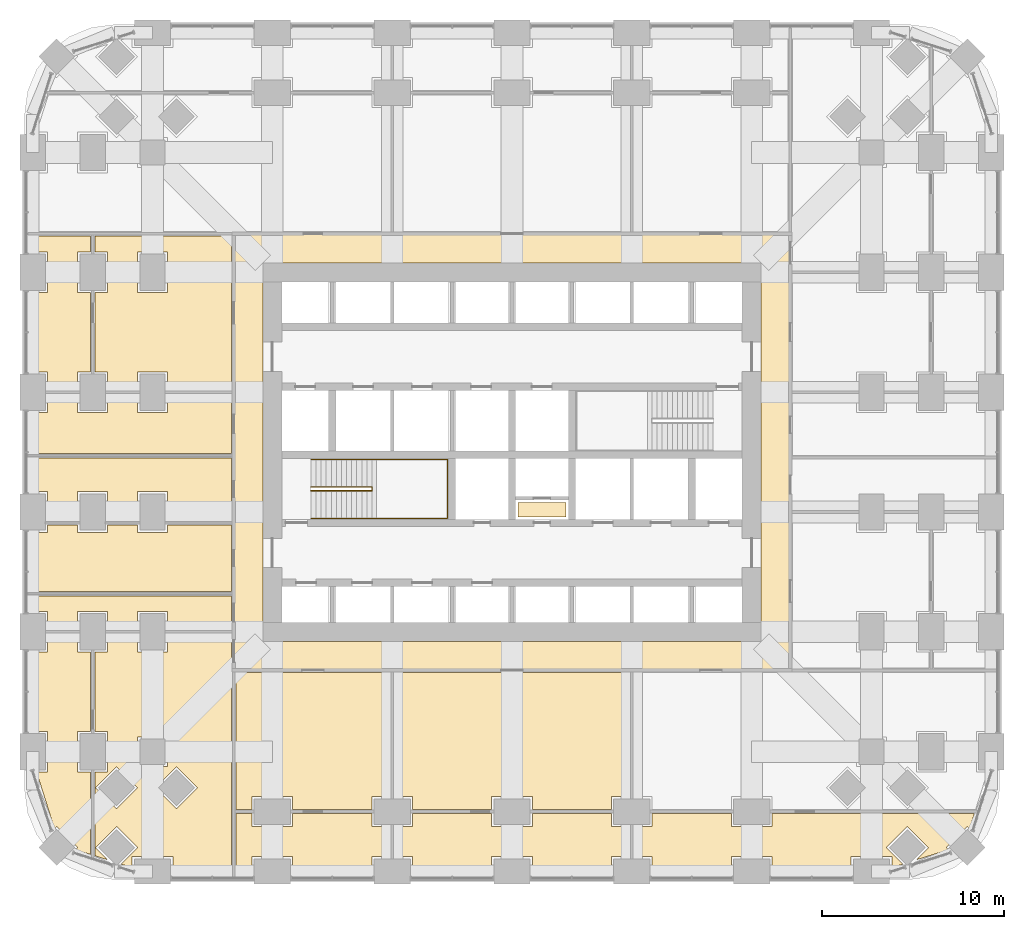
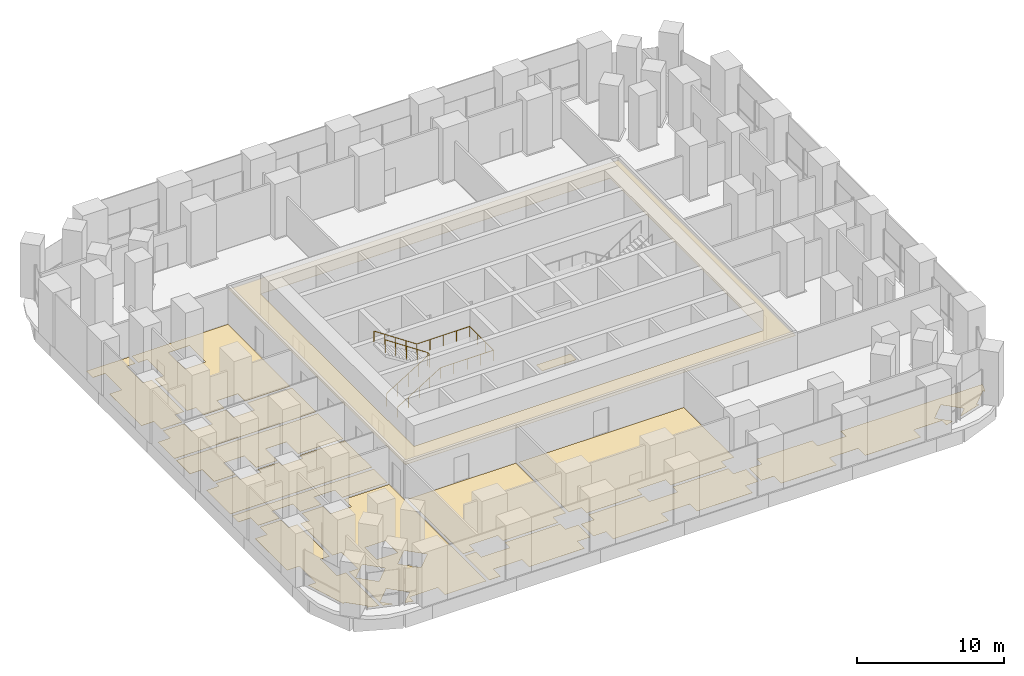
# One storey, part 15 of 17: 15 coverings, 2 railings.
"""IFC4 building model written with IfcOpenShell, lengths in metres."""

import ifcopenshell
import ifcopenshell.guid

model = None  # the IFC model being written
_history = None  # IfcOwnerHistory: only IFC2X3 demands one
_inside = {}  # id of a spatial element -> (the spatial element, [elements in it])
_under = {}  # id of a project, library or spatial element -> (it, [spatial elements below it])
_declared = {}  # id of a project -> (the project, [libraries it declares])
_typed = {}  # id of a type object -> (the type object, [elements of that type])
_made_of = {}  # id of a material, layer set ... -> (it, [elements and type objects made of it])


def new_model(schema):
    """Start an empty IFC model of exactly this schema.

    Asked for "IFC4X3", IfcOpenShell would pick the latest addendum, in which some entities
    have other attributes; the version numbers below select the first issue.
    IFC2X3 requires an IfcOwnerHistory on every rooted entity: one is made here for all.
    """
    global model, _history
    if schema == "IFC4X3":
        model = ifcopenshell.file(schema_version=(4, 3, 0, 0))
    else:
        model = ifcopenshell.file(schema=schema)
    _inside.clear()
    _under.clear()
    _declared.clear()
    _typed.clear()
    _made_of.clear()
    _history = None
    if model.schema == "IFC2X3":
        org = make("IfcOrganization", Name="unknown")
        user = make(
            "IfcPersonAndOrganization",
            ThePerson=make("IfcPerson", FamilyName="unknown"),
            TheOrganization=org,
        )
        app = make(
            "IfcApplication",
            ApplicationDeveloper=org,
            Version="unknown",
            ApplicationFullName="unknown",
            ApplicationIdentifier="unknown",
        )
        _history = make(
            "IfcOwnerHistory",
            OwningUser=user,
            OwningApplication=app,
            ChangeAction="ADDED",
            CreationDate=0,
        )
    return model


def make(cls, **values):
    """One entity of the class cls with the attributes given. An attribute that is None is left unset."""
    return model.create_entity(
        cls, **{name: value for name, value in values.items() if value is not None}
    )


def rooted(cls, **values):
    """An entity with a GlobalId (a new one), such as an element, a storey or a relation."""
    return make(cls, GlobalId=ifcopenshell.guid.new(), OwnerHistory=_history, **values)


def si_unit(unit_type, name, prefix=None):
    """IfcSIUnit, for example si_unit("LENGTHUNIT", "METRE", prefix="MILLI")."""
    return make("IfcSIUnit", UnitType=unit_type, Prefix=prefix, Name=name)


def assignment(units):
    """IfcUnitAssignment: the units of a project."""
    return None if units is None else make("IfcUnitAssignment", Units=units)


def point(xyz):
    """IfcCartesianPoint."""
    return None if xyz is None else make("IfcCartesianPoint", Coordinates=xyz)


def direction(xyz):
    """IfcDirection."""
    return None if xyz is None else make("IfcDirection", DirectionRatios=xyz)


def frame(location, z_axis=None, x_axis=None):
    """IfcAxis2Placement3D, a coordinate frame: its origin and axes. An axis left out is left unset."""
    return make(
        "IfcAxis2Placement3D",
        Location=point(location),
        Axis=direction(z_axis),
        RefDirection=direction(x_axis),
    )


def origin():
    """The frame at (0, 0, 0) with its axes left unset."""
    return frame((0.0, 0.0, 0.0))


def place(relative_to, where):
    """IfcLocalPlacement: puts the frame where relative to a parent placement (None: the world)."""
    return make(
        "IfcLocalPlacement", PlacementRelTo=relative_to, RelativePlacement=where
    )


def context(
    kind, dimensions, precision=None, world=None, true_north=None, identifier=None
):
    """IfcGeometricRepresentationContext, for example the 3D "Model" context."""
    return make(
        "IfcGeometricRepresentationContext",
        ContextIdentifier=identifier,
        ContextType=kind,
        CoordinateSpaceDimension=dimensions,
        Precision=precision,
        WorldCoordinateSystem=world,
        TrueNorth=true_north,
    )


def subcontext(parent, identifier, kind, view, scale=None):
    """IfcGeometricRepresentationSubContext, for example "Body" below "Model"."""
    return make(
        "IfcGeometricRepresentationSubContext",
        ContextIdentifier=identifier,
        ContextType=kind,
        ParentContext=parent,
        TargetScale=scale,
        TargetView=view,
    )


def project(units=None, contexts=None):
    """IfcProject with its units and contexts."""
    return rooted(
        "IfcProject",
        Name="project",
        RepresentationContexts=contexts,
        UnitsInContext=assignment(units),
    )


def spatial(cls, under=None, at=None, **own):
    """A site, building, storey or space (cls), placed at a placement, below another one or the project."""
    s = rooted(cls, ObjectPlacement=at, **own)
    if under is not None:
        _under.setdefault(under.id(), (under, []))[1].append(s)
    return s


def polyline(points):
    """IfcPolyline through the points."""
    return make("IfcPolyline", Points=[point(p) for p in points])


def outline(outer, holes=None, kind="AREA"):
    """IfcArbitraryClosedProfileDef: a profile drawn as a closed curve; with holes, ...WithVoids."""
    if holes is None:
        return make("IfcArbitraryClosedProfileDef", ProfileType=kind, OuterCurve=outer)
    return make(
        "IfcArbitraryProfileDefWithVoids",
        ProfileType=kind,
        OuterCurve=outer,
        InnerCurves=holes,
    )


def extrude(swept, where, along, depth):
    """IfcExtrudedAreaSolid: the profile swept, set in the frame where, extruded along a direction by depth."""
    return make(
        "IfcExtrudedAreaSolid",
        SweptArea=swept,
        Position=where,
        ExtrudedDirection=direction(along),
        Depth=depth,
    )


def shape(context_of_items, identifier, shape_type, items):
    """IfcShapeRepresentation: the items that make up one representation, for example the "Body"."""
    return make(
        "IfcShapeRepresentation",
        ContextOfItems=context_of_items,
        RepresentationIdentifier=identifier,
        RepresentationType=shape_type,
        Items=items,
    )


def material(Name=None, Category=None):
    """IfcMaterial."""
    return make("IfcMaterial", Name=Name, Category=Category)


def layer(
    of_material, thickness, ventilated=None, Name=None, Category=None, Priority=None
):
    """IfcMaterialLayer: one layer of a wall or slab, of a material (None: an air gap)."""
    return make(
        "IfcMaterialLayer",
        Material=of_material,
        LayerThickness=thickness,
        IsVentilated=ventilated,
        Name=Name,
        Category=Category,
        Priority=Priority,
    )


def layer_set(layers, Name=None):
    """IfcMaterialLayerSet."""
    return make("IfcMaterialLayerSet", MaterialLayers=layers, LayerSetName=Name)


def made_of(thing, what):
    """Note that an element or type object is made of a material, layer set ...; save() writes the relation."""
    if what is not None:
        _made_of.setdefault(what.id(), (what, []))[1].append(thing)
    return thing


def type_object(cls, material=None, **own):
    """A type object (cls), such as IfcWallType, which elements share."""
    return made_of(rooted(cls, **own), material)


def element(
    cls,
    number,
    at=None,
    inside=None,
    cuts=None,
    type_object=None,
    material=None,
    context=None,
    identifier="Body",
    shape_type=None,
    held_by="IfcProductDefinitionShape",
    body=None,
    shapes=None,
    **own,
):
    """One element of the class cls, such as IfcWall. Its Tag is "e" and its number.

    at: its placement. inside: the storey or other place that contains it. cuts: it is an
    opening in that element (IfcRelVoidsElement). A single representation is given by context,
    identifier, shape_type and body (its items); several are given by shapes. held_by: the class
    of the entity that holds the representations. save() writes the other relations.
    """
    e = rooted(cls, Tag="e%d" % number, ObjectPlacement=at, **own)
    if body is not None:
        shapes = [shape(context, identifier, shape_type, body)]
    if shapes is not None:
        e.Representation = make(held_by, Representations=shapes)
    if inside is not None:
        _inside.setdefault(inside.id(), (inside, []))[1].append(e)
    if cuts is not None:
        rooted(
            "IfcRelVoidsElement", RelatingBuildingElement=cuts, RelatedOpeningElement=e
        )
    if type_object is not None:
        _typed.setdefault(type_object.id(), (type_object, []))[1].append(e)
    return made_of(e, material)


def aggregate(whole, parts):
    """IfcRelAggregates: a whole, such as a stair, and the parts it consists of."""
    return rooted("IfcRelAggregates", RelatingObject=whole, RelatedObjects=parts)


def save(model, path):
    """Write the relations noted so far, then the file.

    IfcRelAggregates (storeys below a building ...), IfcRelContainedInSpatialStructure (elements
    in a storey), IfcRelDefinesByType, IfcRelAssociatesMaterial and IfcRelDeclares: one each for
    every whole, place, type object, material and project.
    """
    for whole, parts in _under.values():
        aggregate(whole, parts)
    for where, things in _inside.values():
        rooted(
            "IfcRelContainedInSpatialStructure",
            RelatedElements=things,
            RelatingStructure=where,
        )
    for kind, things in _typed.values():
        rooted("IfcRelDefinesByType", RelatedObjects=things, RelatingType=kind)
    for what, things in _made_of.values():
        rooted("IfcRelAssociatesMaterial", RelatedObjects=things, RelatingMaterial=what)
    for by, libraries in _declared.values():
        rooted("IfcRelDeclares", RelatingContext=by, RelatedDefinitions=libraries)
    model.write(path)


model = new_model("IFC4")

# Units and contexts
model_context = context("Model", 3, precision=1e-05, world=origin(), true_north=direction((0.0, 1.0)))
body_context = subcontext(model_context, "Body", "Model", "MODEL_VIEW")
ifc_project = project(units=[si_unit("LENGTHUNIT", "METRE"), si_unit("AREAUNIT", "SQUARE_METRE"), si_unit("VOLUMEUNIT", "CUBIC_METRE"), si_unit("PLANEANGLEUNIT", "RADIAN"), si_unit("MASSUNIT", "GRAM", prefix="KILO")], contexts=[model_context])

# Site, building, storey
site_placement = place(None, origin())
site = spatial("IfcSite", under=ifc_project, at=site_placement, CompositionType="ELEMENT")
building_placement = place(site_placement, origin())
building = spatial("IfcBuilding", under=site, at=building_placement, Name="Cobogo Forest Laboratory Tower", CompositionType="ELEMENT")
storey_placement = place(building_placement, frame((0.0, 0.0, 12.60009765625)))
storey = spatial("IfcBuildingStorey", under=building, at=storey_placement, Name="L02", CompositionType="ELEMENT", Elevation=12.60009765625)

# Coverings
ifc_material_1 = material(Name="Mineral fibre ceiling tile", Category="ceiling")
ifc_layer_1 = layer(ifc_material_1, 0.02001953125)
ifc_layer_set_1 = layer_set([ifc_layer_1], Name="CL1 suspended ceiling")
covering_type_1 = type_object("IfcCoveringType", Name="CL1 suspended ceiling", PredefinedType="CEILING", material=ifc_layer_set_1)
covering_1_placement = place(storey_placement, frame((0.0, 0.0, 2.7998046875)))
element("IfcCovering", 1, at=covering_1_placement, inside=storey, type_object=covering_type_1, Name="Corridor ceiling L02", PredefinedType="CEILING", context=body_context, shape_type="SweptSolid", body=[
    extrude(outline(polyline([(11.074951171875, 11.074951171875), (11.074951171875, 35.125), (41.72509765625, 35.125), (41.72509765625, 11.074951171875), (11.074951171875, 11.074951171875)]), holes=[polyline([(40.125, 33.52490234375), (12.675048828125, 33.52490234375), (12.675048828125, 12.675048828125), (40.125, 12.675048828125), (40.125, 33.52490234375)])]), origin(), (0.0, 0.0, 1.0), 0.02001953125),
])
ifc_material_2 = material(Name="Carpet tile on raised access floor", Category="flooring")
ifc_layer_2 = layer(ifc_material_2, 0.008056640625)
ifc_layer_set_2 = layer_set([ifc_layer_2], Name="CT1 carpet tile floor 8")
covering_type_2 = type_object("IfcCoveringType", Name="CT1 carpet tile floor 8", PredefinedType="FLOORING", material=ifc_layer_set_2)
covering_2_placement = place(storey_placement, origin())
element("IfcCovering", 2, at=covering_2_placement, inside=storey, type_object=covering_type_2, Name="Carpet floor L02-02", PredefinedType="FLOORING", context=body_context, shape_type="SweptSolid", body=[
    extrude(outline(polyline([(12.080078125, 3.179931640625), (12.080078125, 2.47998046875), (14.320068359375, 2.47998046875), (14.320068359375, 3.179931640625), (18.679931640625, 3.179931640625), (18.679931640625, 2.47998046875), (19.679931640625, 2.47998046875), (19.679931640625, 0.820068359375), (18.679931640625, 0.820068359375), (18.679931640625, -0.14990234375), (14.320068359375, -0.14990234375), (14.320068359375, 0.820068359375), (12.080078125, 0.820068359375), (12.080078125, -0.14990234375), (11.195068359375, -0.14990234375), (11.195068359375, 3.179931640625), (12.080078125, 3.179931640625)])), origin(), (0.0, 0.0, 1.0), 0.0078125),
])
covering_3_placement = place(storey_placement, origin())
element("IfcCovering", 3, at=covering_3_placement, inside=storey, type_object=covering_type_2, Name="Carpet floor L02-03", PredefinedType="FLOORING", context=body_context, shape_type="SweptSolid", body=[
    extrude(outline(polyline([(19.919921875, 10.955078125), (32.8798828125, 10.955078125), (32.8798828125, 4.1201171875), (31.8798828125, 4.1201171875), (31.8798828125, 3.419921875), (27.52001953125, 3.419921875), (27.52001953125, 4.1201171875), (25.280029296875, 4.1201171875), (25.280029296875, 3.419921875), (20.919921875, 3.419921875), (20.919921875, 4.1201171875), (19.919921875, 4.1201171875), (19.919921875, 10.955078125)])), origin(), (0.0, 0.0, 1.0), 0.0078125),
])
covering_4_placement = place(storey_placement, origin())
element("IfcCovering", 4, at=covering_4_placement, inside=storey, type_object=covering_type_2, Name="Carpet floor L02-04", PredefinedType="FLOORING", context=body_context, shape_type="SweptSolid", body=[
    extrude(outline(polyline([(25.280029296875, 3.179931640625), (25.280029296875, 2.47998046875), (27.52001953125, 2.47998046875), (27.52001953125, 3.179931640625), (31.8798828125, 3.179931640625), (31.8798828125, 2.47998046875), (32.8798828125, 2.47998046875), (32.8798828125, 0.820068359375), (31.8798828125, 0.820068359375), (31.8798828125, -0.14990234375), (27.52001953125, -0.14990234375), (27.52001953125, 0.820068359375), (25.280029296875, 0.820068359375), (25.280029296875, -0.14990234375), (20.919921875, -0.14990234375), (20.919921875, 0.820068359375), (19.919921875, 0.820068359375), (19.919921875, 2.47998046875), (20.919921875, 2.47998046875), (20.919921875, 3.179931640625), (25.280029296875, 3.179931640625)])), origin(), (0.0, 0.0, 1.0), 0.0078125),
])
covering_5_placement = place(storey_placement, origin())
element("IfcCovering", 5, at=covering_5_placement, inside=storey, type_object=covering_type_2, Name="Carpet floor L02-06", PredefinedType="FLOORING", context=body_context, shape_type="SweptSolid", body=[
    extrude(outline(polyline([(38.47998046875, 3.179931640625), (38.47998046875, 2.47998046875), (40.719970703125, 2.47998046875), (40.719970703125, 3.179931640625), (51.8603515625, 3.179931640625), (51.600830078125, 2.358642578125), (51.48193359375, 2.477783203125), (50.322265625, 1.318115234375), (50.441162109375, 1.19921875), (48.660400390625, 0.63671875), (49.341552734375, 1.318115234375), (48.181884765625, 2.477783203125), (47.022216796875, 1.318115234375), (47.933349609375, 0.406982421875), (47.320068359375, 0.21337890625), (47.320068359375, 0.820068359375), (45.080078125, 0.820068359375), (45.080078125, -0.14990234375), (40.719970703125, -0.14990234375), (40.719970703125, 0.820068359375), (38.47998046875, 0.820068359375), (38.47998046875, -0.14990234375), (34.1201171875, -0.14990234375), (34.1201171875, 0.820068359375), (33.1201171875, 0.820068359375), (33.1201171875, 2.47998046875), (34.1201171875, 2.47998046875), (34.1201171875, 3.179931640625), (38.47998046875, 3.179931640625)])), origin(), (0.0, 0.0, 1.0), 0.0078125),
])
covering_6_placement = place(storey_placement, origin())
element("IfcCovering", 6, at=covering_6_placement, inside=storey, type_object=covering_type_2, Name="Carpet floor L02-22", PredefinedType="FLOORING", context=body_context, shape_type="SweptSolid", body=[
    extrude(outline(polyline([(3.179931640625, 7.719970703125), (2.47998046875, 7.719970703125), (2.47998046875, 5.47998046875), (3.179931640625, 5.47998046875), (3.179931640625, 0.939697265625), (2.358642578125, 1.19921875), (2.477783203125, 1.318115234375), (1.318115234375, 2.477783203125), (1.19921875, 2.358642578125), (0.21337890625, 5.47998046875), (0.820068359375, 5.47998046875), (0.820068359375, 7.719970703125), (-0.14990234375, 7.719970703125), (-0.14990234375, 12.080078125), (0.820068359375, 12.080078125), (0.820068359375, 13.080078125), (2.47998046875, 13.080078125), (2.47998046875, 12.080078125), (3.179931640625, 12.080078125), (3.179931640625, 7.719970703125)])), origin(), (0.0, 0.0, 1.0), 0.0078125),
])
covering_7_placement = place(storey_placement, origin())
element("IfcCovering", 7, at=covering_7_placement, inside=storey, type_object=covering_type_2, Name="Carpet floor L02-27", PredefinedType="FLOORING", context=body_context, shape_type="SweptSolid", body=[
    extrude(outline(polyline([(3.419921875, 31.8798828125), (4.1201171875, 31.8798828125), (4.1201171875, 34.1201171875), (3.419921875, 34.1201171875), (3.419921875, 35.0048828125), (10.955078125, 35.0048828125), (10.955078125, 26.52001953125), (7.419921875, 26.52001953125), (7.419921875, 27.52001953125), (5.780029296875, 27.52001953125), (5.780029296875, 26.52001953125), (4.1201171875, 26.52001953125), (4.1201171875, 27.52001953125), (3.419921875, 27.52001953125), (3.419921875, 31.8798828125)]), holes=[polyline([(5.780029296875, 31.8798828125), (7.419921875, 31.8798828125), (7.419921875, 34.1201171875), (5.780029296875, 34.1201171875), (5.780029296875, 31.8798828125)])]), origin(), (0.0, 0.0, 1.0), 0.0078125),
])
covering_8_placement = place(storey_placement, origin())
element("IfcCovering", 8, at=covering_8_placement, inside=storey, type_object=covering_type_2, Name="Carpet floor L02-28", PredefinedType="FLOORING", context=body_context, shape_type="SweptSolid", body=[
    extrude(outline(polyline([(3.179931640625, 34.1201171875), (2.47998046875, 34.1201171875), (2.47998046875, 31.8798828125), (3.179931640625, 31.8798828125), (3.179931640625, 27.52001953125), (2.47998046875, 27.52001953125), (2.47998046875, 26.52001953125), (0.820068359375, 26.52001953125), (0.820068359375, 27.52001953125), (-0.14990234375, 27.52001953125), (-0.14990234375, 31.8798828125), (0.820068359375, 31.8798828125), (0.820068359375, 34.1201171875), (-0.14990234375, 34.1201171875), (-0.14990234375, 35.0048828125), (3.179931640625, 35.0048828125), (3.179931640625, 34.1201171875)])), origin(), (0.0, 0.0, 1.0), 0.0078125),
])
covering_9_placement = place(storey_placement, origin())
element("IfcCovering", 9, at=covering_9_placement, inside=storey, type_object=covering_type_2, Name="Carpet floor L02-35", PredefinedType="FLOORING", context=body_context, shape_type="SweptSolid", body=[
    extrude(outline(polyline([(29.3798828125, 19.52001953125), (26.719970703125, 19.52001953125), (26.719970703125, 20.330078125), (29.3798828125, 20.330078125), (29.3798828125, 19.52001953125)])), origin(), (0.0, 0.0, 1.0), 0.0078125),
])

# Railings
ifc_material_3 = material(Name="Steel balustrade", Category="steel")
railing_type_1 = type_object("IfcRailingType", Name="GR stair guard 1100", PredefinedType="GUARDRAIL", material=ifc_material_3)
railing_1_placement = place(storey_placement, frame((15.324951171875, 20.969970703125, 0.173095703125)))
element("IfcRailing", 10, at=railing_1_placement, inside=storey, type_object=railing_type_1, Name="Stair guard ST1 L02", PredefinedType="GUARDRAIL", context=body_context, shape_type="SweptSolid", body=[
    extrude(outline(polyline([(0.022216796875, 0.00927734375), (0.00927734375, 0.022216796875), (-0.00927734375, 0.022216796875), (-0.022216796875, 0.00927734375), (-0.022216796875, -0.00927734375), (-0.00927734375, -0.022216796875), (0.00927734375, -0.022216796875), (0.022216796875, -0.00927734375), (0.022216796875, 0.00927734375)])), frame((0.0, 0.0, 1.077880859375), z_axis=(0.850623216509, 0.0, 0.525775754039), x_axis=(0.0, 1.0, 0.0)), (0.0, 0.0, 1.0), 3.9501953125),
    extrude(outline(polyline([(0.022216796875, 0.00927734375), (0.00927734375, 0.022216796875), (-0.00927734375, 0.022216796875), (-0.022216796875, 0.00927734375), (-0.022216796875, -0.00927734375), (-0.00927734375, -0.022216796875), (0.00927734375, -0.022216796875), (0.022216796875, -0.00927734375), (0.022216796875, 0.00927734375)])), frame((3.360107421875, 0.0, 3.15478515625), z_axis=(0.0, 1.0, 0.0), x_axis=(-1.0, 0.0, 0.0)), (0.0, 0.0, 1.0), 0.2099609375),
    extrude(outline(polyline([(0.022216796875, 0.00927734375), (0.00927734375, 0.022216796875), (-0.00927734375, 0.022216796875), (-0.022216796875, 0.00927734375), (-0.022216796875, -0.00927734375), (-0.00927734375, -0.022216796875), (0.00927734375, -0.022216796875), (0.022216796875, -0.00927734375), (0.022216796875, 0.00927734375)])), frame((3.360107421875, 0.2099609375, 3.15478515625), z_axis=(-0.830915400975, 0.0, 0.556398774641), x_axis=(0.0, -1.0, 0.0)), (0.0, 0.0, 1.0), 4.0439453125),
    extrude(outline(polyline([(0.019287109375, 0.008056640625), (0.008056640625, 0.019287109375), (-0.008056640625, 0.019287109375), (-0.019287109375, 0.008056640625), (-0.019287109375, -0.008056640625), (-0.008056640625, -0.019287109375), (0.008056640625, -0.019287109375), (0.019287109375, -0.008056640625), (0.019287109375, 0.008056640625)])), origin(), (0.0, 0.0, 1.0), 1.077880859375),
    extrude(outline(polyline([(0.019287109375, 0.008056640625), (0.008056640625, 0.019287109375), (-0.008056640625, 0.019287109375), (-0.019287109375, 0.008056640625), (-0.019287109375, -0.008056640625), (-0.008056640625, -0.019287109375), (0.008056640625, -0.019287109375), (0.019287109375, -0.008056640625), (0.019287109375, 0.008056640625)])), frame((0.840087890625, 0.0, 0.519287109375)), (0.0, 0.0, 1.0), 1.077880859375),
    extrude(outline(polyline([(0.019287109375, 0.008056640625), (0.008056640625, 0.019287109375), (-0.008056640625, 0.019287109375), (-0.019287109375, 0.008056640625), (-0.019287109375, -0.008056640625), (-0.008056640625, -0.019287109375), (0.008056640625, -0.019287109375), (0.019287109375, -0.008056640625), (0.019287109375, 0.008056640625)])), frame((1.68017578125, 0.0, 1.03857421875)), (0.0, 0.0, 1.0), 1.077880859375),
    extrude(outline(polyline([(0.019287109375, 0.008056640625), (0.008056640625, 0.019287109375), (-0.008056640625, 0.019287109375), (-0.019287109375, 0.008056640625), (-0.019287109375, -0.008056640625), (-0.008056640625, -0.019287109375), (0.008056640625, -0.019287109375), (0.019287109375, -0.008056640625), (0.019287109375, 0.008056640625)])), frame((2.52001953125, 0.0, 1.5576171875)), (0.0, 0.0, 1.0), 1.077880859375),
    extrude(outline(polyline([(0.019287109375, 0.008056640625), (0.008056640625, 0.019287109375), (-0.008056640625, 0.019287109375), (-0.019287109375, 0.008056640625), (-0.019287109375, -0.008056640625), (-0.008056640625, -0.019287109375), (0.008056640625, -0.019287109375), (0.019287109375, -0.008056640625), (0.019287109375, 0.008056640625)])), frame((3.360107421875, 0.0, 2.076904296875)), (0.0, 0.0, 1.0), 1.077880859375),
    extrude(outline(polyline([(0.019287109375, 0.008056640625), (0.008056640625, 0.019287109375), (-0.008056640625, 0.019287109375), (-0.019287109375, 0.008056640625), (-0.019287109375, -0.008056640625), (-0.008056640625, -0.019287109375), (0.008056640625, -0.019287109375), (0.019287109375, -0.008056640625), (0.019287109375, 0.008056640625)])), frame((3.360107421875, 0.2099609375, 2.076904296875)), (0.0, 0.0, 1.0), 1.077880859375),
    extrude(outline(polyline([(0.019287109375, 0.008056640625), (0.008056640625, 0.019287109375), (-0.008056640625, 0.019287109375), (-0.019287109375, 0.008056640625), (-0.019287109375, -0.008056640625), (-0.008056640625, -0.019287109375), (0.008056640625, -0.019287109375), (0.019287109375, -0.008056640625), (0.019287109375, 0.008056640625)])), frame((2.52001953125, 0.2099609375, 2.639404296875)), (0.0, 0.0, 1.0), 1.077880859375),
    extrude(outline(polyline([(0.019287109375, 0.008056640625), (0.008056640625, 0.019287109375), (-0.008056640625, 0.019287109375), (-0.019287109375, 0.008056640625), (-0.019287109375, -0.008056640625), (-0.008056640625, -0.019287109375), (0.008056640625, -0.019287109375), (0.019287109375, -0.008056640625), (0.019287109375, 0.008056640625)])), frame((1.68017578125, 0.2099609375, 3.201904296875)), (0.0, 0.0, 1.0), 1.077880859375),
    extrude(outline(polyline([(0.019287109375, 0.008056640625), (0.008056640625, 0.019287109375), (-0.008056640625, 0.019287109375), (-0.019287109375, 0.008056640625), (-0.019287109375, -0.008056640625), (-0.008056640625, -0.019287109375), (0.008056640625, -0.019287109375), (0.019287109375, -0.008056640625), (0.019287109375, 0.008056640625)])), frame((0.840087890625, 0.2099609375, 3.764404296875)), (0.0, 0.0, 1.0), 1.077880859375),
    extrude(outline(polyline([(0.019287109375, 0.008056640625), (0.008056640625, 0.019287109375), (-0.008056640625, 0.019287109375), (-0.019287109375, 0.008056640625), (-0.019287109375, -0.008056640625), (-0.008056640625, -0.019287109375), (0.008056640625, -0.019287109375), (0.019287109375, -0.008056640625), (0.019287109375, 0.008056640625)])), frame((0.0, 0.2099609375, 4.326904296875)), (0.0, 0.0, 1.0), 1.077880859375),
])
ifc_material_4 = material(Name="Stainless steel handrail", Category="steel")
railing_type_2 = type_object("IfcRailingType", Name="HR handrail 900", PredefinedType="HANDRAIL", material=ifc_material_4)
railing_2_placement = place(storey_placement, frame((15.324951171875, 19.449951171875, 0.173095703125)))
element("IfcRailing", 11, at=railing_2_placement, inside=storey, type_object=railing_type_2, Name="Stair handrail ST1 L02", PredefinedType="HANDRAIL", context=body_context, shape_type="SweptSolid", body=[
    extrude(outline(polyline([(0.022216796875, 0.00927734375), (0.00927734375, 0.022216796875), (-0.00927734375, 0.022216796875), (-0.022216796875, 0.00927734375), (-0.022216796875, -0.00927734375), (-0.00927734375, -0.022216796875), (0.00927734375, -0.022216796875), (0.022216796875, -0.00927734375), (0.022216796875, 0.00927734375)])), frame((0.0, 0.0, 0.877685546875), z_axis=(0.850623216509, 0.0, 0.525775754039), x_axis=(0.0, 1.0, 0.0)), (0.0, 0.0, 1.0), 3.9501953125),
    extrude(outline(polyline([(0.022216796875, 0.00927734375), (0.00927734375, 0.022216796875), (-0.00927734375, 0.022216796875), (-0.022216796875, 0.00927734375), (-0.022216796875, -0.00927734375), (-0.00927734375, -0.022216796875), (0.00927734375, -0.022216796875), (0.022216796875, -0.00927734375), (0.022216796875, 0.00927734375)])), frame((3.360107421875, 0.0, 2.95458984375), z_axis=(1.0, 0.0, 0.0), x_axis=(0.0, 1.0, 0.0)), (0.0, 0.0, 1.0), 4.1650390625),
    extrude(outline(polyline([(0.022216796875, 0.00927734375), (0.00927734375, 0.022216796875), (-0.00927734375, 0.022216796875), (-0.022216796875, 0.00927734375), (-0.022216796875, -0.00927734375), (-0.00927734375, -0.022216796875), (0.00927734375, -0.022216796875), (0.022216796875, -0.00927734375), (0.022216796875, 0.00927734375)])), frame((7.525146484375, 0.0, 2.95458984375), z_axis=(0.0, 1.0, 0.0), x_axis=(-1.0, 0.0, 0.0)), (0.0, 0.0, 1.0), 3.25),
    extrude(outline(polyline([(0.022216796875, 0.00927734375), (0.00927734375, 0.022216796875), (-0.00927734375, 0.022216796875), (-0.022216796875, 0.00927734375), (-0.022216796875, -0.00927734375), (-0.00927734375, -0.022216796875), (0.00927734375, -0.022216796875), (0.022216796875, -0.00927734375), (0.022216796875, 0.00927734375)])), frame((7.525146484375, 3.25, 2.95458984375), z_axis=(-1.0, 0.0, 0.0), x_axis=(0.0, -1.0, 0.0)), (0.0, 0.0, 1.0), 4.1650390625),
    extrude(outline(polyline([(0.022216796875, 0.00927734375), (0.00927734375, 0.022216796875), (-0.00927734375, 0.022216796875), (-0.022216796875, 0.00927734375), (-0.022216796875, -0.00927734375), (-0.00927734375, -0.022216796875), (0.00927734375, -0.022216796875), (0.022216796875, -0.00927734375), (0.022216796875, 0.00927734375)])), frame((3.360107421875, 3.25, 2.95458984375), z_axis=(-0.830915400975, 0.0, 0.556398774641), x_axis=(0.0, -1.0, 0.0)), (0.0, 0.0, 1.0), 4.0439453125),
    extrude(outline(polyline([(0.019287109375, 0.008056640625), (0.008056640625, 0.019287109375), (-0.008056640625, 0.019287109375), (-0.019287109375, 0.008056640625), (-0.019287109375, -0.008056640625), (-0.008056640625, -0.019287109375), (0.008056640625, -0.019287109375), (0.019287109375, -0.008056640625), (0.019287109375, 0.008056640625)])), origin(), (0.0, 0.0, 1.0), 0.877685546875),
    extrude(outline(polyline([(0.019287109375, 0.008056640625), (0.008056640625, 0.019287109375), (-0.008056640625, 0.019287109375), (-0.019287109375, 0.008056640625), (-0.019287109375, -0.008056640625), (-0.008056640625, -0.019287109375), (0.008056640625, -0.019287109375), (0.019287109375, -0.008056640625), (0.019287109375, 0.008056640625)])), frame((0.840087890625, 0.0, 0.519287109375)), (0.0, 0.0, 1.0), 0.877685546875),
    extrude(outline(polyline([(0.019287109375, 0.008056640625), (0.008056640625, 0.019287109375), (-0.008056640625, 0.019287109375), (-0.019287109375, 0.008056640625), (-0.019287109375, -0.008056640625), (-0.008056640625, -0.019287109375), (0.008056640625, -0.019287109375), (0.019287109375, -0.008056640625), (0.019287109375, 0.008056640625)])), frame((1.68017578125, 0.0, 1.03857421875)), (0.0, 0.0, 1.0), 0.877685546875),
    extrude(outline(polyline([(0.019287109375, 0.008056640625), (0.008056640625, 0.019287109375), (-0.008056640625, 0.019287109375), (-0.019287109375, 0.008056640625), (-0.019287109375, -0.008056640625), (-0.008056640625, -0.019287109375), (0.008056640625, -0.019287109375), (0.019287109375, -0.008056640625), (0.019287109375, 0.008056640625)])), frame((2.52001953125, 0.0, 1.5576171875)), (0.0, 0.0, 1.0), 0.877685546875),
    extrude(outline(polyline([(0.019287109375, 0.008056640625), (0.008056640625, 0.019287109375), (-0.008056640625, 0.019287109375), (-0.019287109375, 0.008056640625), (-0.019287109375, -0.008056640625), (-0.008056640625, -0.019287109375), (0.008056640625, -0.019287109375), (0.019287109375, -0.008056640625), (0.019287109375, 0.008056640625)])), frame((3.360107421875, 0.0, 2.076904296875)), (0.0, 0.0, 1.0), 0.877685546875),
    extrude(outline(polyline([(0.019287109375, 0.008056640625), (0.008056640625, 0.019287109375), (-0.008056640625, 0.019287109375), (-0.019287109375, 0.008056640625), (-0.019287109375, -0.008056640625), (-0.008056640625, -0.019287109375), (0.008056640625, -0.019287109375), (0.019287109375, -0.008056640625), (0.019287109375, 0.008056640625)])), frame((4.4013671875, 0.0, 2.076904296875)), (0.0, 0.0, 1.0), 0.877685546875),
    extrude(outline(polyline([(0.019287109375, 0.008056640625), (0.008056640625, 0.019287109375), (-0.008056640625, 0.019287109375), (-0.019287109375, 0.008056640625), (-0.019287109375, -0.008056640625), (-0.008056640625, -0.019287109375), (0.008056640625, -0.019287109375), (0.019287109375, -0.008056640625), (0.019287109375, 0.008056640625)])), frame((5.442626953125, 0.0, 2.076904296875)), (0.0, 0.0, 1.0), 0.877685546875),
    extrude(outline(polyline([(0.019287109375, 0.008056640625), (0.008056640625, 0.019287109375), (-0.008056640625, 0.019287109375), (-0.019287109375, 0.008056640625), (-0.019287109375, -0.008056640625), (-0.008056640625, -0.019287109375), (0.008056640625, -0.019287109375), (0.019287109375, -0.008056640625), (0.019287109375, 0.008056640625)])), frame((6.48388671875, 0.0, 2.076904296875)), (0.0, 0.0, 1.0), 0.877685546875),
    extrude(outline(polyline([(0.019287109375, 0.008056640625), (0.008056640625, 0.019287109375), (-0.008056640625, 0.019287109375), (-0.019287109375, 0.008056640625), (-0.019287109375, -0.008056640625), (-0.008056640625, -0.019287109375), (0.008056640625, -0.019287109375), (0.019287109375, -0.008056640625), (0.019287109375, 0.008056640625)])), frame((7.525146484375, 0.0, 2.076904296875)), (0.0, 0.0, 1.0), 0.877685546875),
    extrude(outline(polyline([(0.019287109375, 0.008056640625), (0.008056640625, 0.019287109375), (-0.008056640625, 0.019287109375), (-0.019287109375, 0.008056640625), (-0.019287109375, -0.008056640625), (-0.008056640625, -0.019287109375), (0.008056640625, -0.019287109375), (0.019287109375, -0.008056640625), (0.019287109375, 0.008056640625)])), frame((7.525146484375, 1.083251953125, 2.076904296875)), (0.0, 0.0, 1.0), 0.877685546875),
    extrude(outline(polyline([(0.019287109375, 0.008056640625), (0.008056640625, 0.019287109375), (-0.008056640625, 0.019287109375), (-0.019287109375, 0.008056640625), (-0.019287109375, -0.008056640625), (-0.008056640625, -0.019287109375), (0.008056640625, -0.019287109375), (0.019287109375, -0.008056640625), (0.019287109375, 0.008056640625)])), frame((7.525146484375, 2.166748046875, 2.076904296875)), (0.0, 0.0, 1.0), 0.877685546875),
    extrude(outline(polyline([(0.019287109375, 0.008056640625), (0.008056640625, 0.019287109375), (-0.008056640625, 0.019287109375), (-0.019287109375, 0.008056640625), (-0.019287109375, -0.008056640625), (-0.008056640625, -0.019287109375), (0.008056640625, -0.019287109375), (0.019287109375, -0.008056640625), (0.019287109375, 0.008056640625)])), frame((7.525146484375, 3.25, 2.076904296875)), (0.0, 0.0, 1.0), 0.877685546875),
    extrude(outline(polyline([(0.019287109375, 0.008056640625), (0.008056640625, 0.019287109375), (-0.008056640625, 0.019287109375), (-0.019287109375, 0.008056640625), (-0.019287109375, -0.008056640625), (-0.008056640625, -0.019287109375), (0.008056640625, -0.019287109375), (0.019287109375, -0.008056640625), (0.019287109375, 0.008056640625)])), frame((6.48388671875, 3.25, 2.076904296875)), (0.0, 0.0, 1.0), 0.877685546875),
    extrude(outline(polyline([(0.019287109375, 0.008056640625), (0.008056640625, 0.019287109375), (-0.008056640625, 0.019287109375), (-0.019287109375, 0.008056640625), (-0.019287109375, -0.008056640625), (-0.008056640625, -0.019287109375), (0.008056640625, -0.019287109375), (0.019287109375, -0.008056640625), (0.019287109375, 0.008056640625)])), frame((5.442626953125, 3.25, 2.076904296875)), (0.0, 0.0, 1.0), 0.877685546875),
    extrude(outline(polyline([(0.019287109375, 0.008056640625), (0.008056640625, 0.019287109375), (-0.008056640625, 0.019287109375), (-0.019287109375, 0.008056640625), (-0.019287109375, -0.008056640625), (-0.008056640625, -0.019287109375), (0.008056640625, -0.019287109375), (0.019287109375, -0.008056640625), (0.019287109375, 0.008056640625)])), frame((4.4013671875, 3.25, 2.076904296875)), (0.0, 0.0, 1.0), 0.877685546875),
    extrude(outline(polyline([(0.019287109375, 0.008056640625), (0.008056640625, 0.019287109375), (-0.008056640625, 0.019287109375), (-0.019287109375, 0.008056640625), (-0.019287109375, -0.008056640625), (-0.008056640625, -0.019287109375), (0.008056640625, -0.019287109375), (0.019287109375, -0.008056640625), (0.019287109375, 0.008056640625)])), frame((3.360107421875, 3.25, 2.076904296875)), (0.0, 0.0, 1.0), 0.877685546875),
    extrude(outline(polyline([(0.019287109375, 0.008056640625), (0.008056640625, 0.019287109375), (-0.008056640625, 0.019287109375), (-0.019287109375, 0.008056640625), (-0.019287109375, -0.008056640625), (-0.008056640625, -0.019287109375), (0.008056640625, -0.019287109375), (0.019287109375, -0.008056640625), (0.019287109375, 0.008056640625)])), frame((2.52001953125, 3.25, 2.639404296875)), (0.0, 0.0, 1.0), 0.877685546875),
    extrude(outline(polyline([(0.019287109375, 0.008056640625), (0.008056640625, 0.019287109375), (-0.008056640625, 0.019287109375), (-0.019287109375, 0.008056640625), (-0.019287109375, -0.008056640625), (-0.008056640625, -0.019287109375), (0.008056640625, -0.019287109375), (0.019287109375, -0.008056640625), (0.019287109375, 0.008056640625)])), frame((1.68017578125, 3.25, 3.201904296875)), (0.0, 0.0, 1.0), 0.877685546875),
    extrude(outline(polyline([(0.019287109375, 0.008056640625), (0.008056640625, 0.019287109375), (-0.008056640625, 0.019287109375), (-0.019287109375, 0.008056640625), (-0.019287109375, -0.008056640625), (-0.008056640625, -0.019287109375), (0.008056640625, -0.019287109375), (0.019287109375, -0.008056640625), (0.019287109375, 0.008056640625)])), frame((0.840087890625, 3.25, 3.764404296875)), (0.0, 0.0, 1.0), 0.877685546875),
    extrude(outline(polyline([(0.019287109375, 0.008056640625), (0.008056640625, 0.019287109375), (-0.008056640625, 0.019287109375), (-0.019287109375, 0.008056640625), (-0.019287109375, -0.008056640625), (-0.008056640625, -0.019287109375), (0.008056640625, -0.019287109375), (0.019287109375, -0.008056640625), (0.019287109375, 0.008056640625)])), frame((0.0, 3.25, 4.326904296875)), (0.0, 0.0, 1.0), 0.877685546875),
])

# Coverings
ifc_material_5 = material(Name="Epoxy resin flooring", Category="flooring")
ifc_layer_3 = layer(ifc_material_5, 0.00390625)
ifc_layer_set_3 = layer_set([ifc_layer_3], Name="LF1 epoxy laboratory floor 4")
covering_type_3 = type_object("IfcCoveringType", Name="LF1 epoxy laboratory floor 4", PredefinedType="FLOORING", material=ifc_layer_set_3)
covering_10_placement = place(storey_placement, origin())
element("IfcCovering", 12, at=covering_10_placement, inside=storey, type_object=covering_type_3, Name="Epoxy laboratory floor L02-01", PredefinedType="FLOORING", context=body_context, shape_type="SweptSolid", body=[
    extrude(outline(polyline([(11.195068359375, 10.955078125), (19.679931640625, 10.955078125), (19.679931640625, 4.1201171875), (18.679931640625, 4.1201171875), (18.679931640625, 3.419921875), (14.320068359375, 3.419921875), (14.320068359375, 4.1201171875), (12.080078125, 4.1201171875), (12.080078125, 3.419921875), (11.195068359375, 3.419921875), (11.195068359375, 10.955078125)])), origin(), (0.0, 0.0, 1.0), 0.00390625),
])
covering_11_placement = place(storey_placement, origin())
element("IfcCovering", 13, at=covering_11_placement, inside=storey, type_object=covering_type_3, Name="Epoxy laboratory floor L02-21", PredefinedType="FLOORING", context=body_context, shape_type="SweptSolid", body=[
    extrude(outline(polyline([(5.780029296875, 13.080078125), (5.780029296875, 12.080078125), (7.419921875, 12.080078125), (7.419921875, 13.080078125), (10.955078125, 13.080078125), (10.955078125, -0.14990234375), (7.719970703125, -0.14990234375), (7.719970703125, 0.820068359375), (5.47998046875, 0.820068359375), (5.47998046875, 0.21337890625), (4.86669921875, 0.406982421875), (5.777587890625, 1.318115234375), (4.617919921875, 2.477783203125), (3.458251953125, 1.318115234375), (4.1396484375, 0.63671875), (3.419921875, 0.864013671875), (3.419921875, 5.47998046875), (4.1201171875, 5.47998046875), (4.1201171875, 7.719970703125), (3.419921875, 7.719970703125), (3.419921875, 12.080078125), (4.1201171875, 12.080078125), (4.1201171875, 13.080078125), (5.780029296875, 13.080078125)]), holes=[polyline([(7.91796875, 5.777587890625), (6.75830078125, 4.617919921875), (7.91796875, 3.458251953125), (9.07763671875, 4.617919921875), (7.91796875, 5.777587890625)]), polyline([(5.780029296875, 7.419921875), (5.780029296875, 5.780029296875), (7.419921875, 5.780029296875), (7.419921875, 7.419921875), (5.780029296875, 7.419921875)]), polyline([(3.458251953125, 4.617919921875), (4.617919921875, 3.458251953125), (5.777587890625, 4.617919921875), (4.617919921875, 5.777587890625), (3.458251953125, 4.617919921875)])]), origin(), (0.0, 0.0, 1.0), 0.00390625),
])
ifc_material_6 = material(Name="Ceramic floor tile", Category="flooring")
ifc_layer_4 = layer(ifc_material_6, 0.010009765625)
ifc_layer_set_4 = layer_set([ifc_layer_4], Name="TF1 ceramic tile floor 10")
covering_type_4 = type_object("IfcCoveringType", Name="TF1 ceramic tile floor 10", PredefinedType="FLOORING", material=ifc_layer_set_4)
covering_12_placement = place(storey_placement, origin())
element("IfcCovering", 14, at=covering_12_placement, inside=storey, type_object=covering_type_4, Name="Tile floor L02-23", PredefinedType="FLOORING", context=body_context, shape_type="SweptSolid", body=[
    extrude(outline(polyline([(10.955078125, 13.320068359375), (7.419921875, 13.320068359375), (7.419921875, 14.320068359375), (5.780029296875, 14.320068359375), (5.780029296875, 13.320068359375), (4.1201171875, 13.320068359375), (4.1201171875, 14.320068359375), (2.47998046875, 14.320068359375), (2.47998046875, 13.320068359375), (0.820068359375, 13.320068359375), (0.820068359375, 14.320068359375), (-0.14990234375, 14.320068359375), (-0.14990234375, 15.179931640625), (10.955078125, 15.179931640625), (10.955078125, 13.320068359375)])), origin(), (0.0, 0.0, 1.0), 0.010009765625),
])
covering_13_placement = place(storey_placement, origin())
element("IfcCovering", 15, at=covering_13_placement, inside=storey, type_object=covering_type_4, Name="Tile floor L02-24", PredefinedType="FLOORING", context=body_context, shape_type="SweptSolid", body=[
    extrude(outline(polyline([(10.955078125, 15.419921875), (-0.14990234375, 15.419921875), (-0.14990234375, 18.679931640625), (0.820068359375, 18.679931640625), (0.820068359375, 19.080078125), (2.47998046875, 19.080078125), (2.47998046875, 18.679931640625), (4.1201171875, 18.679931640625), (4.1201171875, 19.080078125), (5.780029296875, 19.080078125), (5.780029296875, 18.679931640625), (7.419921875, 18.679931640625), (7.419921875, 19.080078125), (10.955078125, 19.080078125), (10.955078125, 15.419921875)])), origin(), (0.0, 0.0, 1.0), 0.010009765625),
])
covering_14_placement = place(storey_placement, origin())
element("IfcCovering", 16, at=covering_14_placement, inside=storey, type_object=covering_type_4, Name="Tile floor L02-25", PredefinedType="FLOORING", context=body_context, shape_type="SweptSolid", body=[
    extrude(outline(polyline([(10.955078125, 19.320068359375), (7.419921875, 19.320068359375), (7.419921875, 20.919921875), (5.780029296875, 20.919921875), (5.780029296875, 19.320068359375), (4.1201171875, 19.320068359375), (4.1201171875, 20.919921875), (2.47998046875, 20.919921875), (2.47998046875, 19.320068359375), (0.820068359375, 19.320068359375), (0.820068359375, 20.919921875), (-0.14990234375, 20.919921875), (-0.14990234375, 22.780029296875), (10.955078125, 22.780029296875), (10.955078125, 19.320068359375)])), origin(), (0.0, 0.0, 1.0), 0.010009765625),
])
covering_15_placement = place(storey_placement, origin())
element("IfcCovering", 17, at=covering_15_placement, inside=storey, type_object=covering_type_4, Name="Tile floor L02-26", PredefinedType="FLOORING", context=body_context, shape_type="SweptSolid", body=[
    extrude(outline(polyline([(10.955078125, 23.02001953125), (-0.14990234375, 23.02001953125), (-0.14990234375, 25.280029296875), (0.820068359375, 25.280029296875), (0.820068359375, 26.280029296875), (2.47998046875, 26.280029296875), (2.47998046875, 25.280029296875), (4.1201171875, 25.280029296875), (4.1201171875, 26.280029296875), (5.780029296875, 26.280029296875), (5.780029296875, 25.280029296875), (7.419921875, 25.280029296875), (7.419921875, 26.280029296875), (10.955078125, 26.280029296875), (10.955078125, 23.02001953125)])), origin(), (0.0, 0.0, 1.0), 0.010009765625),
])

save(model, "model.ifc")
